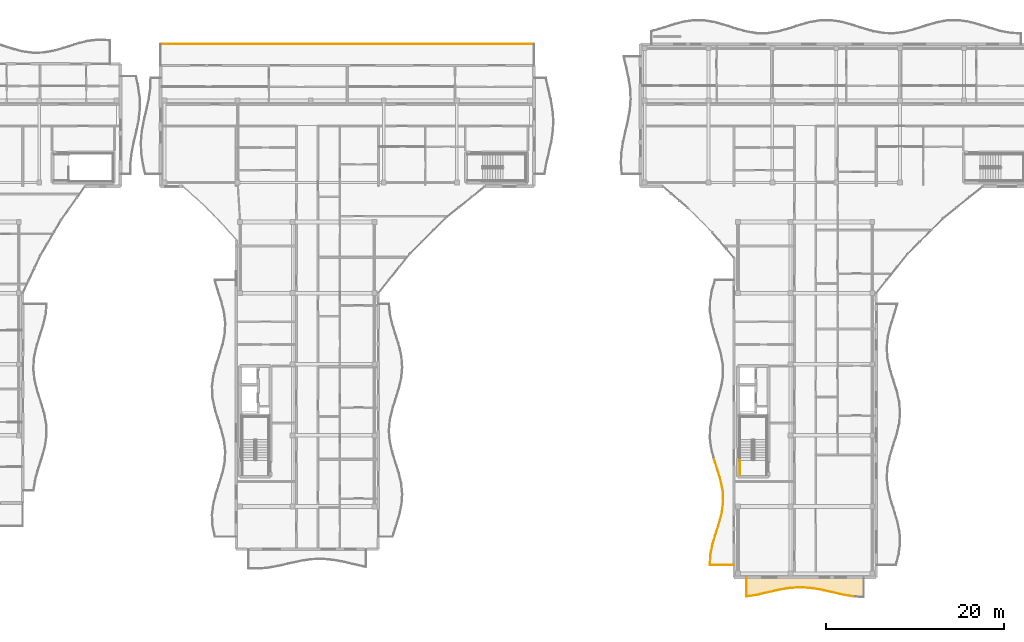
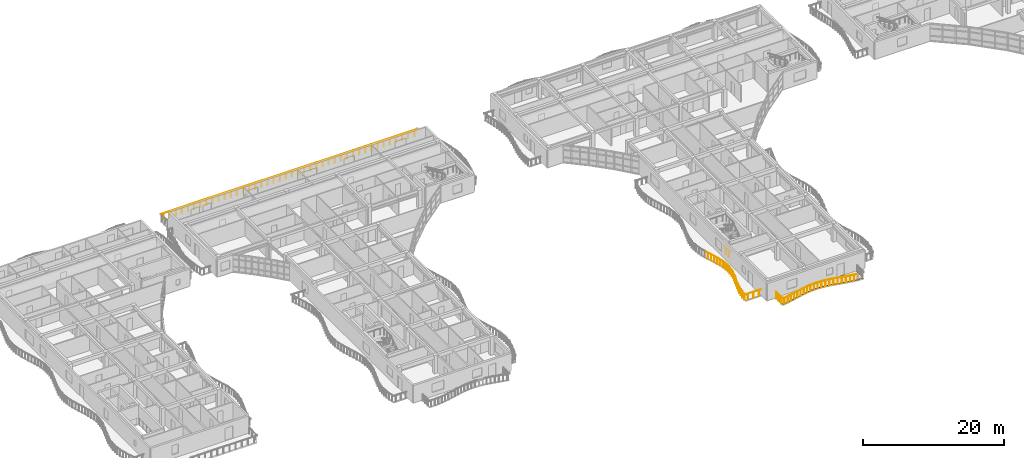
# One storey, part 53 of 68: 24 railings, 1 covering.
"""IFC4 building model written with IfcOpenShell, lengths in metres."""

from ifc_helpers import new_model, si_unit, direction, frame, origin, origin_2d, place, context, subcontext, project, spatial, polyline, circle, outline, extrude, material, layer, layer_set, type_object, element, save


model = new_model("IFC4")

# Units and contexts
model_context = context("Model", 3, precision=1e-05, world=origin(), true_north=direction((0.0, 1.0)))
body_context = subcontext(model_context, "Body", "Model", "MODEL_VIEW")
ifc_project = project(units=[si_unit("LENGTHUNIT", "METRE"), si_unit("AREAUNIT", "SQUARE_METRE"), si_unit("VOLUMEUNIT", "CUBIC_METRE"), si_unit("PLANEANGLEUNIT", "RADIAN"), si_unit("MASSUNIT", "GRAM", prefix="KILO")], contexts=[model_context])

# Site, building, storey
site_placement = place(None, origin())
site = spatial("IfcSite", under=ifc_project, at=site_placement, CompositionType="ELEMENT")
building_placement = place(site_placement, origin())
building = spatial("IfcBuilding", under=site, at=building_placement, Name="Keldmere Railside Commons", CompositionType="ELEMENT")
storey_placement = place(building_placement, frame((0.0, 0.0, 23.360107421875)))
storey = spatial("IfcBuildingStorey", under=building, at=storey_placement, Name="L07", CompositionType="ELEMENT", Elevation=23.360107421875)

# Railings
ifc_material_1 = material(Name="Steel F-24 (S235)", Category="steel")
railing_type_1 = type_object("IfcRailingType", Name="Balcony & Terrace Steel Balustrade 1100", PredefinedType="BALUSTRADE", material=ifc_material_1)
railing_1_placement = place(storey_placement, frame((39.5, 116.0, 0.0)))
element("IfcRailing", 1, at=railing_1_placement, inside=storey, type_object=railing_type_1, Name="GR-1 GRD-L07-1635", PredefinedType="BALUSTRADE", context=body_context, shape_type="SweptSolid", body=[
    extrude(circle(Radius=0.02392578125, at=origin_2d()), frame((0.0, 0.0, 1.076171875), z_axis=(1.0, 0.0, 0.0), x_axis=(0.0, 1.0, 0.0)), (0.0, 0.0, 1.0), 42.0),
    extrude(circle(Radius=0.02099609375, at=origin_2d()), frame((0.5, 0.0, 0.0)), (0.0, 0.0, 1.0), 1.048095703125),
    extrude(circle(Radius=0.02099609375, at=origin_2d()), frame((1.5, 0.0, 0.0)), (0.0, 0.0, 1.0), 1.048095703125),
    extrude(circle(Radius=0.02099609375, at=origin_2d()), frame((2.5, 0.0, 0.0)), (0.0, 0.0, 1.0), 1.048095703125),
    extrude(circle(Radius=0.02099609375, at=origin_2d()), frame((3.5, 0.0, 0.0)), (0.0, 0.0, 1.0), 1.048095703125),
    extrude(circle(Radius=0.02099609375, at=origin_2d()), frame((4.5, 0.0, 0.0)), (0.0, 0.0, 1.0), 1.048095703125),
    extrude(circle(Radius=0.02099609375, at=origin_2d()), frame((5.5, 0.0, 0.0)), (0.0, 0.0, 1.0), 1.048095703125),
    extrude(circle(Radius=0.02099609375, at=origin_2d()), frame((6.5, 0.0, 0.0)), (0.0, 0.0, 1.0), 1.048095703125),
    extrude(circle(Radius=0.02099609375, at=origin_2d()), frame((7.5, 0.0, 0.0)), (0.0, 0.0, 1.0), 1.048095703125),
    extrude(circle(Radius=0.02099609375, at=origin_2d()), frame((8.5, 0.0, 0.0)), (0.0, 0.0, 1.0), 1.048095703125),
    extrude(circle(Radius=0.02099609375, at=origin_2d()), frame((9.5, 0.0, 0.0)), (0.0, 0.0, 1.0), 1.048095703125),
    extrude(circle(Radius=0.02099609375, at=origin_2d()), frame((10.5, 0.0, 0.0)), (0.0, 0.0, 1.0), 1.048095703125),
    extrude(circle(Radius=0.02099609375, at=origin_2d()), frame((11.5, 0.0, 0.0)), (0.0, 0.0, 1.0), 1.048095703125),
    extrude(circle(Radius=0.02099609375, at=origin_2d()), frame((12.5, 0.0, 0.0)), (0.0, 0.0, 1.0), 1.048095703125),
    extrude(circle(Radius=0.02099609375, at=origin_2d()), frame((13.5, 0.0, 0.0)), (0.0, 0.0, 1.0), 1.048095703125),
    extrude(circle(Radius=0.02099609375, at=origin_2d()), frame((14.5, 0.0, 0.0)), (0.0, 0.0, 1.0), 1.048095703125),
    extrude(circle(Radius=0.02099609375, at=origin_2d()), frame((15.5, 0.0, 0.0)), (0.0, 0.0, 1.0), 1.048095703125),
    extrude(circle(Radius=0.02099609375, at=origin_2d()), frame((16.5, 0.0, 0.0)), (0.0, 0.0, 1.0), 1.048095703125),
    extrude(circle(Radius=0.02099609375, at=origin_2d()), frame((17.5, 0.0, 0.0)), (0.0, 0.0, 1.0), 1.048095703125),
    extrude(circle(Radius=0.02099609375, at=origin_2d()), frame((18.5, 0.0, 0.0)), (0.0, 0.0, 1.0), 1.048095703125),
    extrude(circle(Radius=0.02099609375, at=origin_2d()), frame((19.5, 0.0, 0.0)), (0.0, 0.0, 1.0), 1.048095703125),
    extrude(circle(Radius=0.02099609375, at=origin_2d()), frame((20.5, 0.0, 0.0)), (0.0, 0.0, 1.0), 1.048095703125),
    extrude(circle(Radius=0.02099609375, at=origin_2d()), frame((21.5, 0.0, 0.0)), (0.0, 0.0, 1.0), 1.048095703125),
    extrude(circle(Radius=0.02099609375, at=origin_2d()), frame((22.5, 0.0, 0.0)), (0.0, 0.0, 1.0), 1.048095703125),
    extrude(circle(Radius=0.02099609375, at=origin_2d()), frame((23.5, 0.0, 0.0)), (0.0, 0.0, 1.0), 1.048095703125),
    extrude(circle(Radius=0.02099609375, at=origin_2d()), frame((24.5, 0.0, 0.0)), (0.0, 0.0, 1.0), 1.048095703125),
    extrude(circle(Radius=0.02099609375, at=origin_2d()), frame((25.5, 0.0, 0.0)), (0.0, 0.0, 1.0), 1.048095703125),
    extrude(circle(Radius=0.02099609375, at=origin_2d()), frame((26.5, 0.0, 0.0)), (0.0, 0.0, 1.0), 1.048095703125),
    extrude(circle(Radius=0.02099609375, at=origin_2d()), frame((27.5, 0.0, 0.0)), (0.0, 0.0, 1.0), 1.048095703125),
    extrude(circle(Radius=0.02099609375, at=origin_2d()), frame((28.5, 0.0, 0.0)), (0.0, 0.0, 1.0), 1.048095703125),
    extrude(circle(Radius=0.02099609375, at=origin_2d()), frame((29.5, 0.0, 0.0)), (0.0, 0.0, 1.0), 1.048095703125),
    extrude(circle(Radius=0.02099609375, at=origin_2d()), frame((30.5, 0.0, 0.0)), (0.0, 0.0, 1.0), 1.048095703125),
    extrude(circle(Radius=0.02099609375, at=origin_2d()), frame((31.5, 0.0, 0.0)), (0.0, 0.0, 1.0), 1.048095703125),
    extrude(circle(Radius=0.02099609375, at=origin_2d()), frame((32.5, 0.0, 0.0)), (0.0, 0.0, 1.0), 1.048095703125),
    extrude(circle(Radius=0.02099609375, at=origin_2d()), frame((33.5, 0.0, 0.0)), (0.0, 0.0, 1.0), 1.048095703125),
    extrude(circle(Radius=0.02099609375, at=origin_2d()), frame((34.5, 0.0, 0.0)), (0.0, 0.0, 1.0), 1.048095703125),
    extrude(circle(Radius=0.02099609375, at=origin_2d()), frame((35.5, 0.0, 0.0)), (0.0, 0.0, 1.0), 1.048095703125),
    extrude(circle(Radius=0.02099609375, at=origin_2d()), frame((36.5, 0.0, 0.0)), (0.0, 0.0, 1.0), 1.048095703125),
    extrude(circle(Radius=0.02099609375, at=origin_2d()), frame((37.5, 0.0, 0.0)), (0.0, 0.0, 1.0), 1.048095703125),
    extrude(circle(Radius=0.02099609375, at=origin_2d()), frame((38.5, 0.0, 0.0)), (0.0, 0.0, 1.0), 1.048095703125),
    extrude(circle(Radius=0.02099609375, at=origin_2d()), frame((39.5, 0.0, 0.0)), (0.0, 0.0, 1.0), 1.048095703125),
    extrude(circle(Radius=0.02099609375, at=origin_2d()), frame((40.5, 0.0, 0.0)), (0.0, 0.0, 1.0), 1.048095703125),
    extrude(circle(Radius=0.02099609375, at=origin_2d()), frame((41.5, 0.0, 0.0)), (0.0, 0.0, 1.0), 1.048095703125),
])
railing_2_placement = place(storey_placement, frame((104.0, 57.39990234375, 0.0)))
element("IfcRailing", 2, at=railing_2_placement, inside=storey, type_object=railing_type_1, Name="GR-1 GRD-L07-2693", PredefinedType="BALUSTRADE", context=body_context, shape_type="SweptSolid", body=[
    extrude(circle(Radius=0.02392578125, at=origin_2d()), frame((0.0, 0.0, 1.076171875), z_axis=(-1.0, 0.0, 0.0), x_axis=(0.0, -1.0, 0.0)), (0.0, 0.0, 1.0), 2.69580078125),
    extrude(circle(Radius=0.02099609375, at=origin_2d()), frame((-0.44921875, 0.0, 0.0)), (0.0, 0.0, 1.0), 1.048095703125),
    extrude(circle(Radius=0.02099609375, at=origin_2d()), frame((-1.347900390625, 0.0, 0.0)), (0.0, 0.0, 1.0), 1.048095703125),
    extrude(circle(Radius=0.02099609375, at=origin_2d()), frame((-2.24658203125, 0.0, 0.0)), (0.0, 0.0, 1.0), 1.048095703125),
])
railing_3_placement = place(storey_placement, frame((101.30419921875, 57.39990234375, 0.0)))
element("IfcRailing", 3, at=railing_3_placement, inside=storey, type_object=railing_type_1, Name="GR-1 GRD-L07-2694", PredefinedType="BALUSTRADE", context=body_context, shape_type="SweptSolid", body=[
    extrude(circle(Radius=0.02392578125, at=origin_2d()), frame((0.0, 0.0, 1.076171875), z_axis=(0.049835330565, 0.998757447946, 0.0), x_axis=(-0.998757447946, 0.049835330565, 0.0)), (0.0, 0.0, 1.0), 1.1904296875),
    extrude(circle(Radius=0.02099609375, at=origin_2d()), frame((0.014892578125, 0.29736328125, 0.0)), (0.0, 0.0, 1.0), 1.048095703125),
    extrude(circle(Radius=0.02099609375, at=origin_2d()), frame((0.04443359375, 0.8916015625, 0.0)), (0.0, 0.0, 1.0), 1.048095703125),
])
railing_4_placement = place(storey_placement, frame((101.363525390625, 58.5888671875, 0.0)))
element("IfcRailing", 4, at=railing_4_placement, inside=storey, type_object=railing_type_1, Name="GR-1 GRD-L07-2695", PredefinedType="BALUSTRADE", context=body_context, shape_type="SweptSolid", body=[
    extrude(circle(Radius=0.02392578125, at=origin_2d()), frame((0.0, 0.0, 1.076171875), z_axis=(0.19805105508, 0.980191705526, 0.0), x_axis=(-0.980191705526, 0.19805105508, 0.0)), (0.0, 0.0, 1.0), 1.212890625),
    extrude(circle(Radius=0.02099609375, at=origin_2d()), frame((0.06005859375, 0.29736328125, 0.0)), (0.0, 0.0, 1.0), 1.048095703125),
    extrude(circle(Radius=0.02099609375, at=origin_2d()), frame((0.18017578125, 0.8916015625, 0.0)), (0.0, 0.0, 1.0), 1.048095703125),
])
railing_5_placement = place(storey_placement, frame((101.603759765625, 59.77783203125, 0.0)))
element("IfcRailing", 5, at=railing_5_placement, inside=storey, type_object=railing_type_1, Name="GR-1 GRD-L07-2696", PredefinedType="BALUSTRADE", context=body_context, shape_type="SweptSolid", body=[
    extrude(circle(Radius=0.02392578125, at=origin_2d()), frame((0.0, 0.0, 1.076171875), z_axis=(0.287889065941, 0.957663764435, 0.0), x_axis=(-0.957663764435, 0.287889065941, 0.0)), (0.0, 0.0, 1.0), 1.241455078125),
    extrude(circle(Radius=0.02099609375, at=origin_2d()), frame((0.08935546875, 0.29736328125, 0.0)), (0.0, 0.0, 1.0), 1.048095703125),
    extrude(circle(Radius=0.02099609375, at=origin_2d()), frame((0.26806640625, 0.8916015625, 0.0)), (0.0, 0.0, 1.0), 1.048095703125),
])
railing_6_placement = place(storey_placement, frame((101.961181640625, 60.966796875, 0.0)))
element("IfcRailing", 6, at=railing_6_placement, inside=storey, type_object=railing_type_1, Name="GR-1 GRD-L07-2697", PredefinedType="BALUSTRADE", context=body_context, shape_type="SweptSolid", body=[
    extrude(circle(Radius=0.02392578125, at=origin_2d()), frame((0.0, 0.0, 1.076171875), z_axis=(0.305293716433, 0.952258235305, 0.0), x_axis=(-0.952258235305, 0.305293716433, 0.0)), (0.0, 0.0, 1.0), 1.248291015625),
    extrude(circle(Radius=0.02099609375, at=origin_2d()), frame((0.09521484375, 0.297119140625, 0.0)), (0.0, 0.0, 1.0), 1.048095703125),
    extrude(circle(Radius=0.02099609375, at=origin_2d()), frame((0.285888671875, 0.8916015625, 0.0)), (0.0, 0.0, 1.0), 1.048095703125),
])
railing_7_placement = place(storey_placement, frame((102.34228515625, 62.155517578125, 0.0)))
element("IfcRailing", 7, at=railing_7_placement, inside=storey, type_object=railing_type_1, Name="GR-1 GRD-L07-2698", PredefinedType="BALUSTRADE", context=body_context, shape_type="SweptSolid", body=[
    extrude(circle(Radius=0.02392578125, at=origin_2d()), frame((0.0, 0.0, 1.076171875), z_axis=(0.24768126426, 0.968841571845, 0.0), x_axis=(-0.968841571845, 0.24768126426, 0.0)), (0.0, 0.0, 1.0), 1.227294921875),
    extrude(circle(Radius=0.02099609375, at=origin_2d()), frame((0.075927734375, 0.29736328125, 0.0)), (0.0, 0.0, 1.0), 1.048095703125),
    extrude(circle(Radius=0.02099609375, at=origin_2d()), frame((0.22802734375, 0.8916015625, 0.0)), (0.0, 0.0, 1.0), 1.048095703125),
])
railing_8_placement = place(storey_placement, frame((102.646240234375, 63.344482421875, 0.0)))
element("IfcRailing", 8, at=railing_8_placement, inside=storey, type_object=railing_type_1, Name="GR-1 GRD-L07-2699", PredefinedType="BALUSTRADE", context=body_context, shape_type="SweptSolid", body=[
    extrude(circle(Radius=0.02392578125, at=origin_2d()), frame((0.0, 0.0, 1.076171875), z_axis=(0.122905783749, 0.992418343402, 0.0), x_axis=(-0.992418343402, 0.122905783749, 0.0)), (0.0, 0.0, 1.0), 1.19775390625),
    extrude(circle(Radius=0.02099609375, at=origin_2d()), frame((0.036865234375, 0.297119140625, 0.0)), (0.0, 0.0, 1.0), 1.048095703125),
    extrude(circle(Radius=0.02099609375, at=origin_2d()), frame((0.1103515625, 0.8916015625, 0.0)), (0.0, 0.0, 1.0), 1.048095703125),
])
railing_9_placement = place(storey_placement, frame((102.79345703125, 64.533203125, 0.0)))
element("IfcRailing", 9, at=railing_9_placement, inside=storey, type_object=railing_type_1, Name="GR-1 GRD-L07-2700", PredefinedType="BALUSTRADE", context=body_context, shape_type="SweptSolid", body=[
    extrude(circle(Radius=0.02392578125, at=origin_2d()), frame((0.0, 0.0, 1.076171875), z_axis=(-0.040828350898, 0.99916617525, 0.0), x_axis=(-0.99916617525, -0.040828350898, 0.0)), (0.0, 0.0, 1.0), 1.18994140625),
    extrude(circle(Radius=0.02099609375, at=origin_2d()), frame((-0.01220703125, 0.29736328125, 0.0)), (0.0, 0.0, 1.0), 1.048095703125),
    extrude(circle(Radius=0.02099609375, at=origin_2d()), frame((-0.036376953125, 0.8916015625, 0.0)), (0.0, 0.0, 1.0), 1.048095703125),
])
railing_10_placement = place(storey_placement, frame((102.744873046875, 65.72216796875, 0.0)))
element("IfcRailing", 10, at=railing_10_placement, inside=storey, type_object=railing_type_1, Name="GR-1 GRD-L07-2701", PredefinedType="BALUSTRADE", context=body_context, shape_type="SweptSolid", body=[
    extrude(circle(Radius=0.02392578125, at=origin_2d()), frame((0.0, 0.0, 1.076171875), z_axis=(-0.190880449097, 0.981613291553, 0.0), x_axis=(-0.981613291553, -0.190880449097, 0.0)), (0.0, 0.0, 1.0), 1.211181640625),
    extrude(circle(Radius=0.02099609375, at=origin_2d()), frame((-0.057861328125, 0.29736328125, 0.0)), (0.0, 0.0, 1.0), 1.048095703125),
    extrude(circle(Radius=0.02099609375, at=origin_2d()), frame((-0.17333984375, 0.8916015625, 0.0)), (0.0, 0.0, 1.0), 1.048095703125),
])
railing_11_placement = place(storey_placement, frame((102.513671875, 66.9111328125, 0.0)))
element("IfcRailing", 11, at=railing_11_placement, inside=storey, type_object=railing_type_1, Name="GR-1 GRD-L07-2702", PredefinedType="BALUSTRADE", context=body_context, shape_type="SweptSolid", body=[
    extrude(circle(Radius=0.02392578125, at=origin_2d()), frame((0.0, 0.0, 1.076171875), z_axis=(-0.284818742003, 0.958581391538, 0.0), x_axis=(-0.958581391538, -0.284818742003, 0.0)), (0.0, 0.0, 1.0), 1.240234375),
    extrude(circle(Radius=0.02099609375, at=origin_2d()), frame((-0.08837890625, 0.29736328125, 0.0)), (0.0, 0.0, 1.0), 1.048095703125),
    extrude(circle(Radius=0.02099609375, at=origin_2d()), frame((-0.264892578125, 0.8916015625, 0.0)), (0.0, 0.0, 1.0), 1.048095703125),
])
railing_12_placement = place(storey_placement, frame((102.160400390625, 68.10009765625, 0.0)))
element("IfcRailing", 12, at=railing_12_placement, inside=storey, type_object=railing_type_1, Name="GR-1 GRD-L07-2703", PredefinedType="BALUSTRADE", context=body_context, shape_type="SweptSolid", body=[
    extrude(circle(Radius=0.02392578125, at=origin_2d()), frame((0.0, 0.0, 1.076171875), z_axis=(-0.306180055323, 0.951973620287, 0.0), x_axis=(-0.951973620287, -0.306180055323, 0.0)), (0.0, 0.0, 1.0), 1.248779296875),
    extrude(circle(Radius=0.02099609375, at=origin_2d()), frame((-0.095703125, 0.297119140625, 0.0)), (0.0, 0.0, 1.0), 1.048095703125),
    extrude(circle(Radius=0.02099609375, at=origin_2d()), frame((-0.28662109375, 0.8916015625, 0.0)), (0.0, 0.0, 1.0), 1.048095703125),
])
railing_13_placement = place(storey_placement, frame((105.39990234375, 56.0, 0.0)))
element("IfcRailing", 13, at=railing_13_placement, inside=storey, type_object=railing_type_1, Name="GR-1 GRD-L07-2748", PredefinedType="BALUSTRADE", context=body_context, shape_type="SweptSolid", body=[
    extrude(circle(Radius=0.02392578125, at=origin_2d()), frame((0.0, 0.0, 1.076171875), z_axis=(0.0, -1.0, 0.0), x_axis=(1.0, 0.0, 0.0)), (0.0, 0.0, 1.0), 2.1337890625),
    extrude(circle(Radius=0.02099609375, at=origin_2d()), frame((0.0, -0.355712890625, 0.0)), (0.0, 0.0, 1.0), 1.048095703125),
    extrude(circle(Radius=0.02099609375, at=origin_2d()), frame((0.0, -1.06689453125, 0.0)), (0.0, 0.0, 1.0), 1.048095703125),
    extrude(circle(Radius=0.02099609375, at=origin_2d()), frame((0.0, -1.778076171875, 0.0)), (0.0, 0.0, 1.0), 1.048095703125),
])
railing_14_placement = place(storey_placement, frame((105.39990234375, 53.8662109375, 0.0)))
element("IfcRailing", 14, at=railing_14_placement, inside=storey, type_object=railing_type_1, Name="GR-1 GRD-L07-2749", PredefinedType="BALUSTRADE", context=body_context, shape_type="SweptSolid", body=[
    extrude(circle(Radius=0.02392578125, at=origin_2d()), frame((0.0, 0.0, 1.076171875), z_axis=(0.986952420448, 0.161012172742, 0.0), x_axis=(-0.161012172742, 0.986952420448, 0.0)), (0.0, 0.0, 1.0), 1.216064453125),
    extrude(circle(Radius=0.02099609375, at=origin_2d()), frame((0.300048828125, 0.048828125, 0.0)), (0.0, 0.0, 1.0), 1.048095703125),
    extrude(circle(Radius=0.02099609375, at=origin_2d()), frame((0.900146484375, 0.14697265625, 0.0)), (0.0, 0.0, 1.0), 1.048095703125),
])
railing_15_placement = place(storey_placement, frame((106.60009765625, 54.06201171875, 0.0)))
element("IfcRailing", 15, at=railing_15_placement, inside=storey, type_object=railing_type_1, Name="GR-1 GRD-L07-2750", PredefinedType="BALUSTRADE", context=body_context, shape_type="SweptSolid", body=[
    extrude(circle(Radius=0.02392578125, at=origin_2d()), frame((0.0, 0.0, 1.076171875), z_axis=(0.975134804671, 0.221612528345, 0.0), x_axis=(-0.221612528345, 0.975134804671, 0.0)), (0.0, 0.0, 1.0), 1.23046875),
    extrude(circle(Radius=0.02099609375, at=origin_2d()), frame((0.300048828125, 0.068115234375, 0.0)), (0.0, 0.0, 1.0), 1.048095703125),
    extrude(circle(Radius=0.02099609375, at=origin_2d()), frame((0.89990234375, 0.20458984375, 0.0)), (0.0, 0.0, 1.0), 1.048095703125),
])
railing_16_placement = place(storey_placement, frame((107.800048828125, 54.334716796875, 0.0)))
element("IfcRailing", 16, at=railing_16_placement, inside=storey, type_object=railing_type_1, Name="GR-1 GRD-L07-2751", PredefinedType="BALUSTRADE", context=body_context, shape_type="SweptSolid", body=[
    extrude(circle(Radius=0.02392578125, at=origin_2d()), frame((0.0, 0.0, 1.076171875), z_axis=(0.974357773422, 0.225004287453, 0.0), x_axis=(-0.225004287453, 0.974357773422, 0.0)), (0.0, 0.0, 1.0), 1.2314453125),
    extrude(circle(Radius=0.02099609375, at=origin_2d()), frame((0.300048828125, 0.0693359375, 0.0)), (0.0, 0.0, 1.0), 1.048095703125),
    extrude(circle(Radius=0.02099609375, at=origin_2d()), frame((0.89990234375, 0.207763671875, 0.0)), (0.0, 0.0, 1.0), 1.048095703125),
])
railing_17_placement = place(storey_placement, frame((109.0, 54.61181640625, 0.0)))
element("IfcRailing", 17, at=railing_17_placement, inside=storey, type_object=railing_type_1, Name="GR-1 GRD-L07-2752", PredefinedType="BALUSTRADE", context=body_context, shape_type="SweptSolid", body=[
    extrude(circle(Radius=0.02392578125, at=origin_2d()), frame((0.0, 0.0, 1.076171875), z_axis=(0.985474004138, 0.169826344152, 0.0), x_axis=(-0.169826344152, 0.985474004138, 0.0)), (0.0, 0.0, 1.0), 1.217529296875),
    extrude(circle(Radius=0.02099609375, at=origin_2d()), frame((0.300048828125, 0.0517578125, 0.0)), (0.0, 0.0, 1.0), 1.048095703125),
    extrude(circle(Radius=0.02099609375, at=origin_2d()), frame((0.89990234375, 0.155029296875, 0.0)), (0.0, 0.0, 1.0), 1.048095703125),
])
railing_18_placement = place(storey_placement, frame((110.199951171875, 54.818603515625, 0.0)))
element("IfcRailing", 18, at=railing_18_placement, inside=storey, type_object=railing_type_1, Name="GR-1 GRD-L07-2753", PredefinedType="BALUSTRADE", context=body_context, shape_type="SweptSolid", body=[
    extrude(circle(Radius=0.02392578125, at=origin_2d()), frame((0.0, 0.0, 1.076171875), z_axis=(0.997712719614, 0.067596812946, 0.0), x_axis=(-0.067596812946, 0.997712719614, 0.0)), (0.0, 0.0, 1.0), 1.20263671875),
    extrude(circle(Radius=0.02099609375, at=origin_2d()), frame((0.300048828125, 0.020263671875, 0.0)), (0.0, 0.0, 1.0), 1.048095703125),
    extrude(circle(Radius=0.02099609375, at=origin_2d()), frame((0.89990234375, 0.06103515625, 0.0)), (0.0, 0.0, 1.0), 1.048095703125),
])
railing_19_placement = place(storey_placement, frame((111.39990234375, 54.89990234375, 0.0)))
element("IfcRailing", 19, at=railing_19_placement, inside=storey, type_object=railing_type_1, Name="GR-1 GRD-L07-2754", PredefinedType="BALUSTRADE", context=body_context, shape_type="SweptSolid", body=[
    extrude(circle(Radius=0.02392578125, at=origin_2d()), frame((0.0, 0.0, 1.076171875), z_axis=(0.998484009834, -0.055042548142, 0.0), x_axis=(0.055042548142, 0.998484009834, 0.0)), (0.0, 0.0, 1.0), 1.201904296875),
    extrude(circle(Radius=0.02099609375, at=origin_2d()), frame((0.300048828125, -0.0166015625, 0.0)), (0.0, 0.0, 1.0), 1.048095703125),
    extrude(circle(Radius=0.02099609375, at=origin_2d()), frame((0.900146484375, -0.049560546875, 0.0)), (0.0, 0.0, 1.0), 1.048095703125),
])
railing_20_placement = place(storey_placement, frame((112.60009765625, 54.833740234375, 0.0)))
element("IfcRailing", 20, at=railing_20_placement, inside=storey, type_object=railing_type_1, Name="GR-1 GRD-L07-2755", PredefinedType="BALUSTRADE", context=body_context, shape_type="SweptSolid", body=[
    extrude(circle(Radius=0.02392578125, at=origin_2d()), frame((0.0, 0.0, 1.076171875), z_axis=(0.986947214128, -0.16104408255, 0.0), x_axis=(0.16104408255, 0.986947214128, 0.0)), (0.0, 0.0, 1.0), 1.2158203125),
    extrude(circle(Radius=0.02099609375, at=origin_2d()), frame((0.300048828125, -0.048828125, 0.0)), (0.0, 0.0, 1.0), 1.048095703125),
    extrude(circle(Radius=0.02099609375, at=origin_2d()), frame((0.89990234375, -0.14697265625, 0.0)), (0.0, 0.0, 1.0), 1.048095703125),
])
railing_21_placement = place(storey_placement, frame((113.800048828125, 54.637939453125, 0.0)))
element("IfcRailing", 21, at=railing_21_placement, inside=storey, type_object=railing_type_1, Name="GR-1 GRD-L07-2756", PredefinedType="BALUSTRADE", context=body_context, shape_type="SweptSolid", body=[
    extrude(circle(Radius=0.02392578125, at=origin_2d()), frame((0.0, 0.0, 1.076171875), z_axis=(0.975134804671, -0.221612528345, 0.0), x_axis=(0.221612528345, 0.975134804671, 0.0)), (0.0, 0.0, 1.0), 1.23046875),
    extrude(circle(Radius=0.02099609375, at=origin_2d()), frame((0.300048828125, -0.068115234375, 0.0)), (0.0, 0.0, 1.0), 1.048095703125),
    extrude(circle(Radius=0.02099609375, at=origin_2d()), frame((0.89990234375, -0.20458984375, 0.0)), (0.0, 0.0, 1.0), 1.048095703125),
])
railing_22_placement = place(storey_placement, frame((115.0, 54.365234375, 0.0)))
element("IfcRailing", 22, at=railing_22_placement, inside=storey, type_object=railing_type_1, Name="GR-1 GRD-L07-2757", PredefinedType="BALUSTRADE", context=body_context, shape_type="SweptSolid", body=[
    extrude(circle(Radius=0.02392578125, at=origin_2d()), frame((0.0, 0.0, 1.076171875), z_axis=(0.974357773422, -0.225004287453, 0.0), x_axis=(0.225004287453, 0.974357773422, 0.0)), (0.0, 0.0, 1.0), 1.2314453125),
    extrude(circle(Radius=0.02099609375, at=origin_2d()), frame((0.300048828125, -0.0693359375, 0.0)), (0.0, 0.0, 1.0), 1.048095703125),
    extrude(circle(Radius=0.02099609375, at=origin_2d()), frame((0.89990234375, -0.207763671875, 0.0)), (0.0, 0.0, 1.0), 1.048095703125),
])
railing_23_placement = place(storey_placement, frame((116.199951171875, 54.088134765625, 0.0)))
element("IfcRailing", 23, at=railing_23_placement, inside=storey, type_object=railing_type_1, Name="GR-1 GRD-L07-2758", PredefinedType="BALUSTRADE", context=body_context, shape_type="SweptSolid", body=[
    extrude(circle(Radius=0.02392578125, at=origin_2d()), frame((0.0, 0.0, 1.076171875), z_axis=(0.985507542173, -0.169631613566, 0.0), x_axis=(0.169631613566, 0.985507542173, 0.0)), (0.0, 0.0, 1.0), 1.217529296875),
    extrude(circle(Radius=0.02099609375, at=origin_2d()), frame((0.300048828125, -0.0517578125, 0.0)), (0.0, 0.0, 1.0), 1.048095703125),
    extrude(circle(Radius=0.02099609375, at=origin_2d()), frame((0.89990234375, -0.15478515625, 0.0)), (0.0, 0.0, 1.0), 1.048095703125),
])
railing_type_2 = type_object("IfcRailingType", Name="Stair Well Steel Guardrail 1100", PredefinedType="BALUSTRADE", material=ifc_material_1)
railing_24_placement = place(storey_placement, frame((104.699951171875, 67.5, 0.0)))
element("IfcRailing", 24, at=railing_24_placement, inside=storey, type_object=railing_type_2, Name="L07 ST-B1 stair guard 9", PredefinedType="BALUSTRADE", context=body_context, shape_type="SweptSolid", body=[
    extrude(circle(Radius=0.02392578125, at=origin_2d()), frame((0.0, 0.0, 1.076171875), z_axis=(0.0, 1.0, 0.0), x_axis=(-1.0, 0.0, 0.0)), (0.0, 0.0, 1.0), 1.699951171875),
    extrude(circle(Radius=0.02099609375, at=origin_2d()), frame((0.0, 0.425048828125, 0.0)), (0.0, 0.0, 1.0), 1.048095703125),
    extrude(circle(Radius=0.02099609375, at=origin_2d()), frame((0.0, 1.27490234375, 0.0)), (0.0, 0.0, 1.0), 1.048095703125),
])

# Covering
ifc_material_2 = material(Name="White Precast Concrete C35/45", Category="concrete")
ifc_layer = layer(ifc_material_2, 0.044921875, Name="White Architectural Balcony Ribbon Cladding 45")
ifc_layer_set = layer_set([ifc_layer], Name="White Precast Concrete C35/45")
covering_type = type_object("IfcCoveringType", Name="White Architectural Balcony Ribbon Cladding 45", PredefinedType="FLOORING", material=ifc_layer_set)
covering_placement = place(storey_placement, origin())
element("IfcCovering", 25, at=covering_placement, inside=storey, type_object=covering_type, Name="CLG-WB B L07 S White Balcony Ribbon", PredefinedType="FLOORING", context=body_context, shape_type="SweptSolid", body=[
    extrude(outline(polyline([(106.59228515625, 54.101318359375), (107.791015625, 54.373779296875), (108.990966796875, 54.65087890625), (108.9931640625, 54.651123046875), (110.193115234375, 54.85791015625), (110.197265625, 54.8583984375), (111.397216796875, 54.939697265625), (111.402099609375, 54.939697265625), (112.602294921875, 54.87353515625), (112.6064453125, 54.873291015625), (113.806396484375, 54.677490234375), (113.808837890625, 54.677001953125), (115.0087890625, 54.404296875), (115.009033203125, 54.404296875), (116.2080078125, 54.12744140625), (117.40478515625, 53.92138671875), (118.56005859375, 53.843017578125), (118.56005859375, 55.9599609375), (105.43994140625, 55.9599609375), (105.43994140625, 53.913330078125), (106.59228515625, 54.101318359375)])), origin(), (0.0, 0.0, 1.0), 0.044921875),
])

save(model, "model.ifc")
